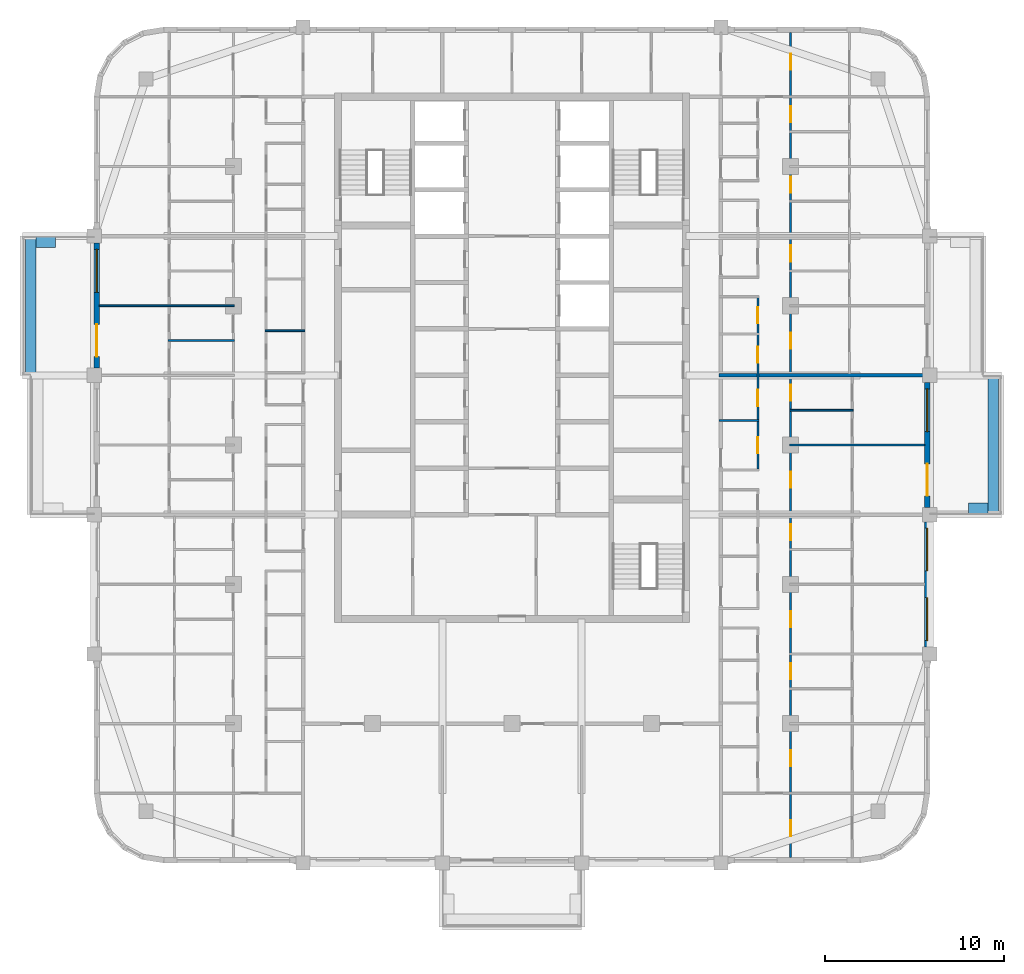
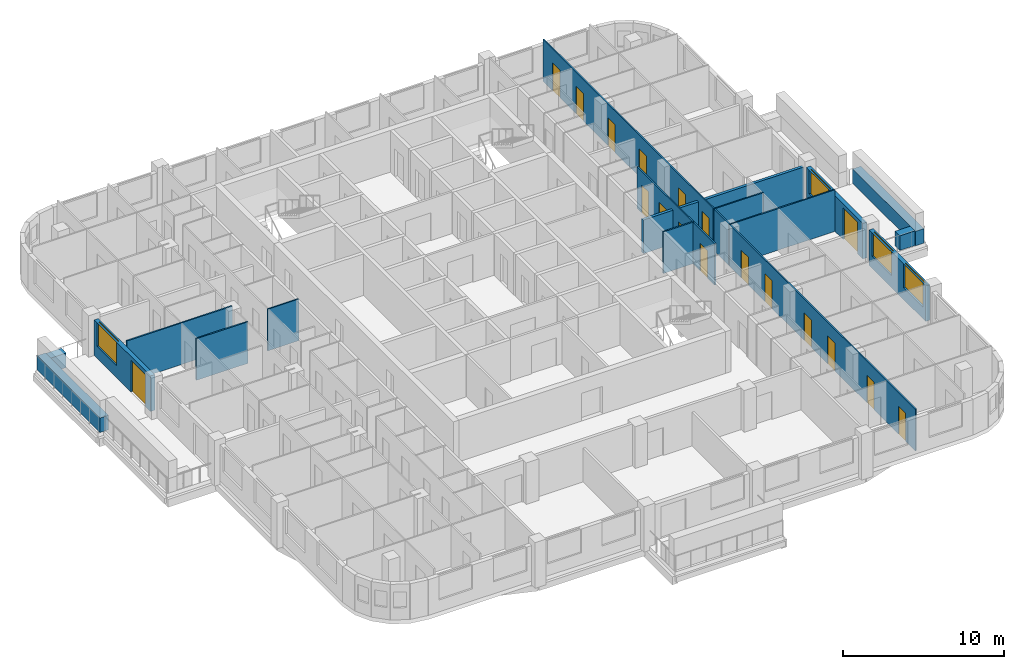
# One storey, part 7 of 15: 18 doors, 16 walls, 4 windows, 22 openings.
"""IFC4 building model written with IfcOpenShell, lengths in metres."""

from ifc_helpers import new_model, si_unit, direction, frame, frame_2d, origin, place, context, subcontext, project, spatial, rectangle, extrude, material, layer, layer_set, type_object, element, fill, save


model = new_model("IFC4")

# Units and contexts
model_context = context("Model", 3, precision=1e-05, world=origin(), true_north=direction((0.0, 1.0)))
body_context = subcontext(model_context, "Body", "Model", "MODEL_VIEW")
ifc_project = project(units=[si_unit("LENGTHUNIT", "METRE"), si_unit("AREAUNIT", "SQUARE_METRE"), si_unit("VOLUMEUNIT", "CUBIC_METRE"), si_unit("PLANEANGLEUNIT", "RADIAN"), si_unit("MASSUNIT", "GRAM", prefix="KILO")], contexts=[model_context])

# Site, building, storey
site_placement = place(None, origin())
site = spatial("IfcSite", under=ifc_project, at=site_placement, CompositionType="ELEMENT")
building_placement = place(site_placement, origin())
building = spatial("IfcBuilding", under=site, at=building_placement, Name="Ludao Terraces", CompositionType="ELEMENT")
storey_placement = place(building_placement, frame((0.0, 0.0, 197.300048828125)))
storey = spatial("IfcBuildingStorey", under=building, at=storey_placement, Name="L53", CompositionType="ELEMENT", Elevation=197.300048828125)

# Walls
ifc_material_1 = material(Name="Concrete C40", Category="concrete")
ifc_layer_1 = layer(ifc_material_1, 0.60009765625)
ifc_layer_set_1 = layer_set([ifc_layer_1], Name="ENV Planter trough 600")
wall_type_1 = type_object("IfcWallType", Name="ENV Planter trough 600", PredefinedType="USERDEFINED", material=ifc_layer_set_1)
wall_1_placement = place(storey_placement, frame((111.949951171875, 61.10009765625, 0.0), z_axis=(0.0, 0.0, 1.0), x_axis=(0.0, 1.0, 0.0)))
element("IfcWall", 1, at=wall_1_placement, inside=storey, type_object=wall_type_1, Name="PL-L53-E1", ObjectType="PLANTER", PredefinedType="USERDEFINED", context=body_context, shape_type="SweptSolid", body=[
    extrude(rectangle(XDim=7.7998046875, YDim=0.60009765625, at=frame_2d((3.89990234375, 0.0))), origin(), (0.0, 0.0, 1.0), 1.099853515625),
])
wall_2_placement = place(storey_placement, frame((111.64990234375, 61.449951171875, 0.0), z_axis=(0.0, 0.0, 1.0), x_axis=(-1.0, 0.0, 0.0)))
element("IfcWall", 2, at=wall_2_placement, inside=storey, type_object=wall_type_1, Name="PL-L53-E1-SA", ObjectType="PLANTER", PredefinedType="USERDEFINED", context=body_context, shape_type="SweptSolid", body=[
    extrude(rectangle(XDim=1.099853515625, YDim=0.60009765625, at=frame_2d((0.5498046875, 0.0))), origin(), (0.0, 0.0, 1.0), 1.099853515625),
])
wall_3_placement = place(storey_placement, frame((58.050048828125, 68.89990234375, 0.0), z_axis=(0.0, 0.0, 1.0), x_axis=(0.0, 1.0, 0.0)))
element("IfcWall", 3, at=wall_3_placement, inside=storey, type_object=wall_type_1, Name="PL-L53-W2", ObjectType="PLANTER", PredefinedType="USERDEFINED", context=body_context, shape_type="SweptSolid", body=[
    extrude(rectangle(XDim=7.800048828125, YDim=0.60009765625, at=frame_2d((3.89990234375, 0.0))), origin(), (0.0, 0.0, 1.0), 1.099853515625),
])
wall_4_placement = place(storey_placement, frame((58.35009765625, 76.35009765625, 0.0), z_axis=(0.0, 0.0, 1.0), x_axis=(1.0, 0.0, 0.0)))
element("IfcWall", 4, at=wall_4_placement, inside=storey, type_object=wall_type_1, Name="PL-L53-W2-SB", ObjectType="PLANTER", PredefinedType="USERDEFINED", context=body_context, shape_type="SweptSolid", body=[
    extrude(rectangle(XDim=1.099853515625, YDim=0.60009765625, at=frame_2d((0.5498046875, 0.0))), origin(), (0.0, 0.0, 1.0), 1.099853515625),
])

# Wall, openings, windows
ifc_material_2 = material(Name="Granite cladding", Category="masonry")
ifc_layer_2 = layer(ifc_material_2, 0.0400390625, Category="stone")
ifc_material_3 = material(Name="Mineral wool")
ifc_layer_3 = layer(ifc_material_3, 0.06005859375)
ifc_layer_4 = layer(ifc_material_1, 0.199951171875, Category="concrete")
ifc_layer_set_2 = layer_set([ifc_layer_2, ifc_layer_3, ifc_layer_4], Name="ENV Stone-clad wall 300")
wall_type_2 = type_object("IfcWallType", Name="ENV Stone-clad wall 300", PredefinedType="SOLIDWALL", material=ifc_layer_set_2)
wall_5_placement = place(storey_placement, frame((108.25, 53.699951171875, 0.0), z_axis=(0.0, 0.0, 1.0), x_axis=(0.0, 1.0, 0.0)))
wall_5 = element("IfcWall", 5, at=wall_5_placement, inside=storey, type_object=wall_type_2, Name="EW-L53-E2", PredefinedType="SOLIDWALL", context=body_context, shape_type="SweptSolid", body=[
    extrude(rectangle(XDim=7.0, YDim=0.300048828125, at=frame_2d((3.5, 0.0))), origin(), (0.0, 0.0, 1.0), 2.699951171875),
])
opening_1_placement = place(wall_5_placement, frame((0.35009765625, 0.0, 0.89990234375)))
opening_1 = element("IfcOpeningElement", 6, at=opening_1_placement, cuts=wall_5, Name="Opening W1", PredefinedType="OPENING", context=body_context, shape_type="SweptSolid", body=[
    extrude(rectangle(XDim=2.39990234375, YDim=1.800048828125, at=frame_2d((1.199951171875, 0.89990234375))), frame((0.0, 0.16015625, 0.0), z_axis=(0.0, -1.0, 0.0), x_axis=(1.0, 0.0, 0.0)), (0.0, 0.0, 1.0), 0.320068359375),
])
opening_2_placement = place(wall_5_placement, frame((4.25, 0.0, 0.89990234375)))
opening_2 = element("IfcOpeningElement", 7, at=opening_2_placement, cuts=wall_5, Name="Opening W1", PredefinedType="OPENING", context=body_context, shape_type="SweptSolid", body=[
    extrude(rectangle(XDim=2.39990234375, YDim=1.800048828125, at=frame_2d((1.199951171875, 0.89990234375))), frame((0.0, 0.16015625, 0.0), z_axis=(0.0, -1.0, 0.0), x_axis=(1.0, 0.0, 0.0)), (0.0, 0.0, 1.0), 0.320068359375),
])
ifc_material_4 = material(Name="Clear glass in aluminium frame", Category="aluminium")
ifc_layer_5 = layer(ifc_material_4, 0.06005859375)
ifc_layer_set_3 = layer_set([ifc_layer_5], Name="ENV Window W1 2400x1800")
window_type = type_object("IfcWindowType", Name="ENV Window W1 2400x1800", PartitioningType="DOUBLE_PANEL_VERTICAL", PredefinedType="WINDOW", material=ifc_layer_set_3)
window_1_placement = place(opening_1_placement, origin())
window_1 = element("IfcWindow", 8, at=window_1_placement, inside=storey, type_object=window_type, Name="W-L53-E2-1", OverallHeight=1.800048828125, OverallWidth=2.39990234375, PartitioningType="DOUBLE_PANEL_VERTICAL", PredefinedType="WINDOW", context=body_context, shape_type="SweptSolid", body=[
    extrude(rectangle(XDim=2.39990234375, YDim=1.800048828125, at=frame_2d((1.199951171875, 0.89990234375))), frame((0.0, 0.030029296875, 0.0), z_axis=(0.0, -1.0, 0.0), x_axis=(1.0, 0.0, 0.0)), (0.0, 0.0, 1.0), 0.06005859375),
])
fill(opening_1, window_1)
window_2_placement = place(opening_2_placement, origin())
window_2 = element("IfcWindow", 9, at=window_2_placement, inside=storey, type_object=window_type, Name="W-L53-E2-2", OverallHeight=1.800048828125, OverallWidth=2.39990234375, PartitioningType="DOUBLE_PANEL_VERTICAL", PredefinedType="WINDOW", context=body_context, shape_type="SweptSolid", body=[
    extrude(rectangle(XDim=2.39990234375, YDim=1.800048828125, at=frame_2d((1.199951171875, 0.89990234375))), frame((0.0, 0.030029296875, 0.0), z_axis=(0.0, -1.0, 0.0), x_axis=(1.0, 0.0, 0.0)), (0.0, 0.0, 1.0), 0.06005859375),
])
fill(opening_2, window_2)

# Wall, openings, door, window
wall_6_placement = place(storey_placement, frame((108.25, 61.5, 0.0), z_axis=(0.0, 0.0, 1.0), x_axis=(0.0, 1.0, 0.0)))
wall_6 = element("IfcWall", 10, at=wall_6_placement, inside=storey, type_object=wall_type_2, Name="EW-L53-E3", PredefinedType="SOLIDWALL", context=body_context, shape_type="SweptSolid", body=[
    extrude(rectangle(XDim=7.0, YDim=0.300048828125, at=frame_2d((3.5, 0.0))), origin(), (0.0, 0.0, 1.0), 2.699951171875),
])
opening_3_placement = place(wall_6_placement, frame((0.64990234375, 0.0, 0.0)))
opening_3 = element("IfcOpeningElement", 11, at=opening_3_placement, cuts=wall_6, Name="Opening BD", PredefinedType="OPENING", context=body_context, shape_type="SweptSolid", body=[
    extrude(rectangle(XDim=1.800048828125, YDim=2.39990234375, at=frame_2d((0.89990234375, 1.199951171875))), frame((0.0, 0.16015625, 0.0), z_axis=(0.0, -1.0, 0.0), x_axis=(1.0, 0.0, 0.0)), (0.0, 0.0, 1.0), 0.320068359375),
])
opening_4_placement = place(wall_6_placement, frame((4.25, 0.0, 0.89990234375)))
opening_4 = element("IfcOpeningElement", 12, at=opening_4_placement, cuts=wall_6, Name="Opening W1", PredefinedType="OPENING", context=body_context, shape_type="SweptSolid", body=[
    extrude(rectangle(XDim=2.39990234375, YDim=1.800048828125, at=frame_2d((1.199951171875, 0.89990234375))), frame((0.0, 0.16015625, 0.0), z_axis=(0.0, -1.0, 0.0), x_axis=(1.0, 0.0, 0.0)), (0.0, 0.0, 1.0), 0.320068359375),
])
ifc_material_5 = material(Name="Aluminium glazed door", Category="aluminium")
ifc_layer_6 = layer(ifc_material_5, 0.06005859375)
ifc_layer_set_4 = layer_set([ifc_layer_6], Name="ENV Balcony door BD 1800x2400")
door_type_1 = type_object("IfcDoorType", Name="ENV Balcony door BD 1800x2400", OperationType="DOUBLE_DOOR_SINGLE_SWING", PredefinedType="DOOR", material=ifc_layer_set_4)
door_1_placement = place(opening_3_placement, origin())
door_1 = element("IfcDoor", 13, at=door_1_placement, inside=storey, type_object=door_type_1, Name="BD-L53-E3-1", OperationType="DOUBLE_DOOR_SINGLE_SWING", OverallHeight=2.39990234375, OverallWidth=1.800048828125, PredefinedType="DOOR", context=body_context, shape_type="SweptSolid", body=[
    extrude(rectangle(XDim=1.800048828125, YDim=2.39990234375, at=frame_2d((0.89990234375, 1.199951171875))), frame((0.0, 0.02490234375, 0.0), z_axis=(0.0, -1.0, 0.0), x_axis=(1.0, 0.0, 0.0)), (0.0, 0.0, 1.0), 0.050048828125),
])
fill(opening_3, door_1)
window_3_placement = place(opening_4_placement, origin())
window_3 = element("IfcWindow", 14, at=window_3_placement, inside=storey, type_object=window_type, Name="W-L53-E3-2", OverallHeight=1.800048828125, OverallWidth=2.39990234375, PartitioningType="DOUBLE_PANEL_VERTICAL", PredefinedType="WINDOW", context=body_context, shape_type="SweptSolid", body=[
    extrude(rectangle(XDim=2.39990234375, YDim=1.800048828125, at=frame_2d((1.199951171875, 0.89990234375))), frame((0.0, 0.030029296875, 0.0), z_axis=(0.0, -1.0, 0.0), x_axis=(1.0, 0.0, 0.0)), (0.0, 0.0, 1.0), 0.06005859375),
])
fill(opening_4, window_3)

wall_7_placement = place(storey_placement, frame((61.75, 69.300048828125, 0.0), z_axis=(0.0, 0.0, 1.0), x_axis=(0.0, 1.0, 0.0)))
wall_7 = element("IfcWall", 15, at=wall_7_placement, inside=storey, type_object=wall_type_2, Name="EW-L53-W4", PredefinedType="SOLIDWALL", context=body_context, shape_type="SweptSolid", body=[
    extrude(rectangle(XDim=7.0, YDim=0.300048828125, at=frame_2d((3.5, 0.0))), origin(), (0.0, 0.0, 1.0), 2.699951171875),
])
opening_5_placement = place(wall_7_placement, frame((0.64990234375, 0.0, 0.0)))
opening_5 = element("IfcOpeningElement", 16, at=opening_5_placement, cuts=wall_7, Name="Opening BD", PredefinedType="OPENING", context=body_context, shape_type="SweptSolid", body=[
    extrude(rectangle(XDim=1.800048828125, YDim=2.39990234375, at=frame_2d((0.89990234375, 1.199951171875))), frame((0.0, 0.16015625, 0.0), z_axis=(0.0, -1.0, 0.0), x_axis=(1.0, 0.0, 0.0)), (0.0, 0.0, 1.0), 0.320068359375),
])
opening_6_placement = place(wall_7_placement, frame((4.25, 0.0, 0.89990234375)))
opening_6 = element("IfcOpeningElement", 17, at=opening_6_placement, cuts=wall_7, Name="Opening W1", PredefinedType="OPENING", context=body_context, shape_type="SweptSolid", body=[
    extrude(rectangle(XDim=2.39990234375, YDim=1.800048828125, at=frame_2d((1.199951171875, 0.89990234375))), frame((0.0, 0.16015625, 0.0), z_axis=(0.0, -1.0, 0.0), x_axis=(1.0, 0.0, 0.0)), (0.0, 0.0, 1.0), 0.320068359375),
])
door_2_placement = place(opening_5_placement, origin())
door_2 = element("IfcDoor", 18, at=door_2_placement, inside=storey, type_object=door_type_1, Name="BD-L53-W4-1", OperationType="DOUBLE_DOOR_SINGLE_SWING", OverallHeight=2.39990234375, OverallWidth=1.800048828125, PredefinedType="DOOR", context=body_context, shape_type="SweptSolid", body=[
    extrude(rectangle(XDim=1.800048828125, YDim=2.39990234375, at=frame_2d((0.89990234375, 1.199951171875))), frame((0.0, 0.02490234375, 0.0), z_axis=(0.0, -1.0, 0.0), x_axis=(1.0, 0.0, 0.0)), (0.0, 0.0, 1.0), 0.050048828125),
])
fill(opening_5, door_2)
window_4_placement = place(opening_6_placement, origin())
window_4 = element("IfcWindow", 19, at=window_4_placement, inside=storey, type_object=window_type, Name="W-L53-W4-2", OverallHeight=1.800048828125, OverallWidth=2.39990234375, PartitioningType="DOUBLE_PANEL_VERTICAL", PredefinedType="WINDOW", context=body_context, shape_type="SweptSolid", body=[
    extrude(rectangle(XDim=2.39990234375, YDim=1.800048828125, at=frame_2d((1.199951171875, 0.89990234375))), frame((0.0, 0.030029296875, 0.0), z_axis=(0.0, -1.0, 0.0), x_axis=(1.0, 0.0, 0.0)), (0.0, 0.0, 1.0), 0.06005859375),
])
fill(opening_6, window_4)

# Walls
ifc_material_6 = material(Name="Gypsum plasterboard", Category="gypsum")
ifc_layer_7 = layer(ifc_material_6, 0.012451171875, Category="gypsum")
ifc_layer_8 = layer(ifc_material_3, 0.06005859375, Name="insulation")
ifc_material_7 = material(Name="Steel Q235", Category="steel")
ifc_layer_9 = layer(ifc_material_7, 0.014892578125, Name="stud")
ifc_layer_10 = layer(ifc_material_6, 0.012451171875, Category="gypsum")
ifc_layer_set_5 = layer_set([ifc_layer_7, ifc_layer_8, ifc_layer_9, ifc_layer_10], Name="INT Partition 100")
wall_type_3 = type_object("IfcWallType", Name="INT Partition 100", PredefinedType="PARTITIONING", material=ifc_layer_set_5)
wall_8_placement = place(storey_placement, frame((100.550048828125, 65.0, 0.0), z_axis=(0.0, 0.0, 1.0), x_axis=(1.0, 0.0, 0.0)))
element("IfcWall", 20, at=wall_8_placement, inside=storey, type_object=wall_type_3, Name="PW-L53-PW034", PredefinedType="PARTITIONING", context=body_context, shape_type="SweptSolid", body=[
    extrude(rectangle(XDim=7.550048828125, YDim=0.10009765625, at=frame_2d((3.77490234375, 0.0))), origin(), (0.0, 0.0, 1.0), 3.14990234375),
])
wall_9_placement = place(storey_placement, frame((96.60009765625, 66.3701171875, 0.0), z_axis=(0.0, 0.0, 1.0), x_axis=(1.0, 0.0, 0.0)))
element("IfcWall", 21, at=wall_9_placement, inside=storey, type_object=wall_type_3, Name="PW-L53-PW036", PredefinedType="PARTITIONING", context=body_context, shape_type="SweptSolid", body=[
    extrude(rectangle(XDim=2.219970703125, YDim=0.10009765625, at=frame_2d((1.10986328125, 0.0))), origin(), (0.0, 0.0, 1.0), 3.14990234375),
])
wall_10_placement = place(storey_placement, frame((100.550048828125, 66.949951171875, 0.0), z_axis=(0.0, 0.0, 1.0), x_axis=(1.0, 0.0, 0.0)))
element("IfcWall", 22, at=wall_10_placement, inside=storey, type_object=wall_type_3, Name="PW-L53-PW037", PredefinedType="PARTITIONING", context=body_context, shape_type="SweptSolid", body=[
    extrude(rectangle(XDim=3.550048828125, YDim=0.10009765625, at=frame_2d((1.77490234375, 0.0))), origin(), (0.0, 0.0, 1.0), 3.14990234375),
])
wall_11_placement = place(storey_placement, frame((65.75, 70.85009765625, 0.0), z_axis=(0.0, 0.0, 1.0), x_axis=(1.0, 0.0, 0.0)))
element("IfcWall", 23, at=wall_11_placement, inside=storey, type_object=wall_type_3, Name="PW-L53-PW044", PredefinedType="PARTITIONING", context=body_context, shape_type="SweptSolid", body=[
    extrude(rectangle(XDim=3.7001953125, YDim=0.10009765625, at=frame_2d((1.85009765625, 0.0))), origin(), (0.0, 0.0, 1.0), 3.14990234375),
])
wall_12_placement = place(storey_placement, frame((71.18017578125, 71.39990234375, 0.0), z_axis=(0.0, 0.0, 1.0), x_axis=(1.0, 0.0, 0.0)))
element("IfcWall", 24, at=wall_12_placement, inside=storey, type_object=wall_type_3, Name="PW-L53-PW046", PredefinedType="PARTITIONING", context=body_context, shape_type="SweptSolid", body=[
    extrude(rectangle(XDim=2.219970703125, YDim=0.10009765625, at=frame_2d((1.10986328125, 0.0))), origin(), (0.0, 0.0, 1.0), 3.14990234375),
])
wall_13_placement = place(storey_placement, frame((61.900146484375, 72.800048828125, 0.0), z_axis=(0.0, 0.0, 1.0), x_axis=(1.0, 0.0, 0.0)))
element("IfcWall", 25, at=wall_13_placement, inside=storey, type_object=wall_type_3, Name="PW-L53-PW048", PredefinedType="PARTITIONING", context=body_context, shape_type="SweptSolid", body=[
    extrude(rectangle(XDim=7.550048828125, YDim=0.10009765625, at=frame_2d((3.77490234375, 0.0))), origin(), (0.0, 0.0, 1.0), 3.14990234375),
])

# Wall, openings, doors
wall_14_placement = place(storey_placement, frame((98.77001953125, 63.650146484375, 0.0), z_axis=(0.0, 0.0, 1.0), x_axis=(0.0, 1.0, 0.0)))
wall_14 = element("IfcWall", 26, at=wall_14_placement, inside=storey, type_object=wall_type_3, Name="PW-L53-PW099", PredefinedType="PARTITIONING", context=body_context, shape_type="SweptSolid", body=[
    extrude(rectangle(XDim=9.599853515625, YDim=0.10009765625, at=frame_2d((4.7998046875, 0.0))), origin(), (0.0, 0.0, 1.0), 3.14990234375),
])
opening_7_placement = place(wall_14_placement, frame((0.885009765625, 0.0, 0.0)))
opening_7 = element("IfcOpeningElement", 27, at=opening_7_placement, cuts=wall_14, Name="Opening R19-062", PredefinedType="OPENING", context=body_context, shape_type="SweptSolid", body=[
    extrude(rectangle(XDim=0.89990234375, YDim=2.10009765625, at=frame_2d((0.449951171875, 1.050048828125))), frame((0.0, 0.06005859375, 0.0), z_axis=(0.0, -1.0, 0.0), x_axis=(1.0, 0.0, 0.0)), (0.0, 0.0, 1.0), 0.1201171875),
])
opening_8_placement = place(wall_14_placement, frame((3.534912109375, 0.0, 0.0)))
opening_8 = element("IfcOpeningElement", 28, at=opening_8_placement, cuts=wall_14, Name="Opening R19-072", PredefinedType="OPENING", context=body_context, shape_type="SweptSolid", body=[
    extrude(rectangle(XDim=0.89990234375, YDim=2.10009765625, at=frame_2d((0.449951171875, 1.050048828125))), frame((0.0, 0.06005859375, 0.0), z_axis=(0.0, -1.0, 0.0), x_axis=(1.0, 0.0, 0.0)), (0.0, 0.0, 1.0), 0.1201171875),
])
opening_9_placement = place(wall_14_placement, frame((5.9599609375, 0.0, 0.0)))
opening_9 = element("IfcOpeningElement", 29, at=opening_9_placement, cuts=wall_14, Name="Opening R19-080", PredefinedType="OPENING", context=body_context, shape_type="SweptSolid", body=[
    extrude(rectangle(XDim=0.89990234375, YDim=2.10009765625, at=frame_2d((0.449951171875, 1.050048828125))), frame((0.0, 0.06005859375, 0.0), z_axis=(0.0, -1.0, 0.0), x_axis=(1.0, 0.0, 0.0)), (0.0, 0.0, 1.0), 0.1201171875),
])
opening_10_placement = place(wall_14_placement, frame((8.159912109375, 0.0, 0.0)))
opening_10 = element("IfcOpeningElement", 30, at=opening_10_placement, cuts=wall_14, Name="Opening R19-090", PredefinedType="OPENING", context=body_context, shape_type="SweptSolid", body=[
    extrude(rectangle(XDim=0.89990234375, YDim=2.10009765625, at=frame_2d((0.449951171875, 1.050048828125))), frame((0.0, 0.06005859375, 0.0), z_axis=(0.0, -1.0, 0.0), x_axis=(1.0, 0.0, 0.0)), (0.0, 0.0, 1.0), 0.1201171875),
])
ifc_material_8 = material(Name="Timber door leaf", Category="wood")
door_type_2 = type_object("IfcDoorType", Name="INT Bathroom door 900", OperationType="SINGLE_SWING_LEFT", PredefinedType="DOOR", material=ifc_material_8)
door_3_placement = place(opening_8_placement, origin())
door_3 = element("IfcDoor", 31, at=door_3_placement, inside=storey, type_object=door_type_2, Name="DOOR 072", OperationType="SINGLE_SWING_RIGHT", OverallHeight=2.10009765625, OverallWidth=0.89990234375, PredefinedType="DOOR", context=body_context, shape_type="SweptSolid", body=[
    extrude(rectangle(XDim=0.89990234375, YDim=2.10009765625, at=frame_2d((0.449951171875, 1.050048828125))), frame((0.0, 0.02490234375, 0.0), z_axis=(0.0, -1.0, 0.0), x_axis=(1.0, 0.0, 0.0)), (0.0, 0.0, 1.0), 0.050048828125),
])
fill(opening_8, door_3)
door_4_placement = place(opening_10_placement, origin())
door_4 = element("IfcDoor", 32, at=door_4_placement, inside=storey, type_object=door_type_2, Name="DOOR 090", OperationType="SINGLE_SWING_RIGHT", OverallHeight=2.10009765625, OverallWidth=0.89990234375, PredefinedType="DOOR", context=body_context, shape_type="SweptSolid", body=[
    extrude(rectangle(XDim=0.89990234375, YDim=2.10009765625, at=frame_2d((0.449951171875, 1.050048828125))), frame((0.0, 0.02490234375, 0.0), z_axis=(0.0, -1.0, 0.0), x_axis=(1.0, 0.0, 0.0)), (0.0, 0.0, 1.0), 0.050048828125),
])
fill(opening_10, door_4)
door_type_3 = type_object("IfcDoorType", Name="INT Room door 900", OperationType="SINGLE_SWING_LEFT", PredefinedType="DOOR", material=ifc_material_8)
door_5_placement = place(opening_7_placement, origin())
door_5 = element("IfcDoor", 33, at=door_5_placement, inside=storey, type_object=door_type_3, Name="DOOR 062", OperationType="SINGLE_SWING_LEFT", OverallHeight=2.10009765625, OverallWidth=0.89990234375, PredefinedType="DOOR", context=body_context, shape_type="SweptSolid", body=[
    extrude(rectangle(XDim=0.89990234375, YDim=2.10009765625, at=frame_2d((0.449951171875, 1.050048828125))), frame((0.0, 0.02490234375, 0.0), z_axis=(0.0, -1.0, 0.0), x_axis=(1.0, 0.0, 0.0)), (0.0, 0.0, 1.0), 0.050048828125),
])
fill(opening_7, door_5)
door_6_placement = place(opening_9_placement, origin())
door_6 = element("IfcDoor", 34, at=door_6_placement, inside=storey, type_object=door_type_3, Name="DOOR 080", OperationType="SINGLE_SWING_LEFT", OverallHeight=2.10009765625, OverallWidth=0.89990234375, PredefinedType="DOOR", context=body_context, shape_type="SweptSolid", body=[
    extrude(rectangle(XDim=0.89990234375, YDim=2.10009765625, at=frame_2d((0.449951171875, 1.050048828125))), frame((0.0, 0.02490234375, 0.0), z_axis=(0.0, -1.0, 0.0), x_axis=(1.0, 0.0, 0.0)), (0.0, 0.0, 1.0), 0.050048828125),
])
fill(opening_9, door_6)

wall_15_placement = place(storey_placement, frame((100.60009765625, 41.900146484375, 0.0), z_axis=(0.0, 0.0, 1.0), x_axis=(0.0, 1.0, 0.0)))
wall_15 = element("IfcWall", 35, at=wall_15_placement, inside=storey, type_object=wall_type_3, Name="PW-L53-PW102", PredefinedType="PARTITIONING", context=body_context, shape_type="SweptSolid", body=[
    extrude(rectangle(XDim=46.199951171875, YDim=0.10009765625, at=frame_2d((23.10009765625, 0.0))), origin(), (0.0, 0.0, 1.0), 3.14990234375),
])
opening_11_placement = place(wall_15_placement, frame((1.199951171875, 0.0, 0.0)))
opening_11 = element("IfcOpeningElement", 36, at=opening_11_placement, cuts=wall_15, Name="Opening R19-003", PredefinedType="OPENING", context=body_context, shape_type="SweptSolid", body=[
    extrude(rectangle(XDim=0.89990234375, YDim=2.10009765625, at=frame_2d((0.449951171875, 1.050048828125))), frame((0.0, 0.06005859375, 0.0), z_axis=(0.0, -1.0, 0.0), x_axis=(1.0, 0.0, 0.0)), (0.0, 0.0, 1.0), 0.1201171875),
])
opening_12_placement = place(wall_15_placement, frame((5.10009765625, 0.0, 0.0)))
opening_12 = element("IfcOpeningElement", 37, at=opening_12_placement, cuts=wall_15, Name="Opening R19-011", PredefinedType="OPENING", context=body_context, shape_type="SweptSolid", body=[
    extrude(rectangle(XDim=0.89990234375, YDim=2.10009765625, at=frame_2d((0.449951171875, 1.050048828125))), frame((0.0, 0.06005859375, 0.0), z_axis=(0.0, -1.0, 0.0), x_axis=(1.0, 0.0, 0.0)), (0.0, 0.0, 1.0), 0.1201171875),
])
opening_13_placement = place(wall_15_placement, frame((9.97509765625, 0.0, 0.0)))
opening_13 = element("IfcOpeningElement", 38, at=opening_13_placement, cuts=wall_15, Name="Opening R19-023", PredefinedType="OPENING", context=body_context, shape_type="SweptSolid", body=[
    extrude(rectangle(XDim=0.89990234375, YDim=2.10009765625, at=frame_2d((0.449951171875, 1.050048828125))), frame((0.0, 0.06005859375, 0.0), z_axis=(0.0, -1.0, 0.0), x_axis=(1.0, 0.0, 0.0)), (0.0, 0.0, 1.0), 0.1201171875),
])
opening_14_placement = place(wall_15_placement, frame((12.89990234375, 0.0, 0.0)))
opening_14 = element("IfcOpeningElement", 39, at=opening_14_placement, cuts=wall_15, Name="Opening R19-029", PredefinedType="OPENING", context=body_context, shape_type="SweptSolid", body=[
    extrude(rectangle(XDim=0.89990234375, YDim=2.10009765625, at=frame_2d((0.449951171875, 1.050048828125))), frame((0.0, 0.06005859375, 0.0), z_axis=(0.0, -1.0, 0.0), x_axis=(1.0, 0.0, 0.0)), (0.0, 0.0, 1.0), 0.1201171875),
])
opening_15_placement = place(wall_15_placement, frame((17.77490234375, 0.0, 0.0)))
opening_15 = element("IfcOpeningElement", 40, at=opening_15_placement, cuts=wall_15, Name="Opening R19-046", PredefinedType="OPENING", context=body_context, shape_type="SweptSolid", body=[
    extrude(rectangle(XDim=0.89990234375, YDim=2.10009765625, at=frame_2d((0.449951171875, 1.050048828125))), frame((0.0, 0.06005859375, 0.0), z_axis=(0.0, -1.0, 0.0), x_axis=(1.0, 0.0, 0.0)), (0.0, 0.0, 1.0), 0.1201171875),
])
opening_16_placement = place(wall_15_placement, frame((20.699951171875, 0.0, 0.0)))
opening_16 = element("IfcOpeningElement", 41, at=opening_16_placement, cuts=wall_15, Name="Opening R19-055", PredefinedType="OPENING", context=body_context, shape_type="SweptSolid", body=[
    extrude(rectangle(XDim=0.89990234375, YDim=2.10009765625, at=frame_2d((0.449951171875, 1.050048828125))), frame((0.0, 0.06005859375, 0.0), z_axis=(0.0, -1.0, 0.0), x_axis=(1.0, 0.0, 0.0)), (0.0, 0.0, 1.0), 0.1201171875),
])
opening_17_placement = place(wall_15_placement, frame((25.574951171875, 0.0, 0.0)))
opening_17 = element("IfcOpeningElement", 42, at=opening_17_placement, cuts=wall_15, Name="Opening R19-074", PredefinedType="OPENING", context=body_context, shape_type="SweptSolid", body=[
    extrude(rectangle(XDim=0.89990234375, YDim=2.10009765625, at=frame_2d((0.449951171875, 1.050048828125))), frame((0.0, 0.06005859375, 0.0), z_axis=(0.0, -1.0, 0.0), x_axis=(1.0, 0.0, 0.0)), (0.0, 0.0, 1.0), 0.1201171875),
])
opening_18_placement = place(wall_15_placement, frame((28.5, 0.0, 0.0)))
opening_18 = element("IfcOpeningElement", 43, at=opening_18_placement, cuts=wall_15, Name="Opening R19-084", PredefinedType="OPENING", context=body_context, shape_type="SweptSolid", body=[
    extrude(rectangle(XDim=0.89990234375, YDim=2.10009765625, at=frame_2d((0.449951171875, 1.050048828125))), frame((0.0, 0.06005859375, 0.0), z_axis=(0.0, -1.0, 0.0), x_axis=(1.0, 0.0, 0.0)), (0.0, 0.0, 1.0), 0.1201171875),
])
opening_19_placement = place(wall_15_placement, frame((33.375, 0.0, 0.0)))
opening_19 = element("IfcOpeningElement", 44, at=opening_19_placement, cuts=wall_15, Name="Opening R19-105", PredefinedType="OPENING", context=body_context, shape_type="SweptSolid", body=[
    extrude(rectangle(XDim=0.89990234375, YDim=2.10009765625, at=frame_2d((0.449951171875, 1.050048828125))), frame((0.0, 0.06005859375, 0.0), z_axis=(0.0, -1.0, 0.0), x_axis=(1.0, 0.0, 0.0)), (0.0, 0.0, 1.0), 0.1201171875),
])
opening_20_placement = place(wall_15_placement, frame((37.22509765625, 0.0, 0.0)))
opening_20 = element("IfcOpeningElement", 45, at=opening_20_placement, cuts=wall_15, Name="Opening R19-118", PredefinedType="OPENING", context=body_context, shape_type="SweptSolid", body=[
    extrude(rectangle(XDim=0.89990234375, YDim=2.10009765625, at=frame_2d((0.449951171875, 1.050048828125))), frame((0.0, 0.06005859375, 0.0), z_axis=(0.0, -1.0, 0.0), x_axis=(1.0, 0.0, 0.0)), (0.0, 0.0, 1.0), 0.1201171875),
])
opening_21_placement = place(wall_15_placement, frame((41.175048828125, 0.0, 0.0)))
opening_21 = element("IfcOpeningElement", 46, at=opening_21_placement, cuts=wall_15, Name="Opening R19-132", PredefinedType="OPENING", context=body_context, shape_type="SweptSolid", body=[
    extrude(rectangle(XDim=0.89990234375, YDim=2.10009765625, at=frame_2d((0.449951171875, 1.050048828125))), frame((0.0, 0.06005859375, 0.0), z_axis=(0.0, -1.0, 0.0), x_axis=(1.0, 0.0, 0.0)), (0.0, 0.0, 1.0), 0.1201171875),
])
opening_22_placement = place(wall_15_placement, frame((44.10009765625, 0.0, 0.0)))
opening_22 = element("IfcOpeningElement", 47, at=opening_22_placement, cuts=wall_15, Name="Opening R19-147", PredefinedType="OPENING", context=body_context, shape_type="SweptSolid", body=[
    extrude(rectangle(XDim=0.89990234375, YDim=2.10009765625, at=frame_2d((0.449951171875, 1.050048828125))), frame((0.0, 0.06005859375, 0.0), z_axis=(0.0, -1.0, 0.0), x_axis=(1.0, 0.0, 0.0)), (0.0, 0.0, 1.0), 0.1201171875),
])
door_7_placement = place(opening_11_placement, origin())
door_7 = element("IfcDoor", 48, at=door_7_placement, inside=storey, type_object=door_type_3, Name="DOOR 003", OperationType="SINGLE_SWING_RIGHT", OverallHeight=2.10009765625, OverallWidth=0.89990234375, PredefinedType="DOOR", context=body_context, shape_type="SweptSolid", body=[
    extrude(rectangle(XDim=0.89990234375, YDim=2.10009765625, at=frame_2d((0.449951171875, 1.050048828125))), frame((0.0, 0.02490234375, 0.0), z_axis=(0.0, -1.0, 0.0), x_axis=(1.0, 0.0, 0.0)), (0.0, 0.0, 1.0), 0.050048828125),
])
fill(opening_11, door_7)
door_8_placement = place(opening_12_placement, origin())
door_8 = element("IfcDoor", 49, at=door_8_placement, inside=storey, type_object=door_type_3, Name="DOOR 011", OperationType="SINGLE_SWING_LEFT", OverallHeight=2.10009765625, OverallWidth=0.89990234375, PredefinedType="DOOR", context=body_context, shape_type="SweptSolid", body=[
    extrude(rectangle(XDim=0.89990234375, YDim=2.10009765625, at=frame_2d((0.449951171875, 1.050048828125))), frame((0.0, 0.02490234375, 0.0), z_axis=(0.0, -1.0, 0.0), x_axis=(1.0, 0.0, 0.0)), (0.0, 0.0, 1.0), 0.050048828125),
])
fill(opening_12, door_8)
door_9_placement = place(opening_13_placement, origin())
door_9 = element("IfcDoor", 50, at=door_9_placement, inside=storey, type_object=door_type_3, Name="DOOR 023", OperationType="SINGLE_SWING_LEFT", OverallHeight=2.10009765625, OverallWidth=0.89990234375, PredefinedType="DOOR", context=body_context, shape_type="SweptSolid", body=[
    extrude(rectangle(XDim=0.89990234375, YDim=2.10009765625, at=frame_2d((0.449951171875, 1.050048828125))), frame((0.0, 0.02490234375, 0.0), z_axis=(0.0, -1.0, 0.0), x_axis=(1.0, 0.0, 0.0)), (0.0, 0.0, 1.0), 0.050048828125),
])
fill(opening_13, door_9)
door_10_placement = place(opening_14_placement, origin())
door_10 = element("IfcDoor", 51, at=door_10_placement, inside=storey, type_object=door_type_3, Name="DOOR 029", OperationType="SINGLE_SWING_LEFT", OverallHeight=2.10009765625, OverallWidth=0.89990234375, PredefinedType="DOOR", context=body_context, shape_type="SweptSolid", body=[
    extrude(rectangle(XDim=0.89990234375, YDim=2.10009765625, at=frame_2d((0.449951171875, 1.050048828125))), frame((0.0, 0.02490234375, 0.0), z_axis=(0.0, -1.0, 0.0), x_axis=(1.0, 0.0, 0.0)), (0.0, 0.0, 1.0), 0.050048828125),
])
fill(opening_14, door_10)
door_11_placement = place(opening_15_placement, origin())
door_11 = element("IfcDoor", 52, at=door_11_placement, inside=storey, type_object=door_type_3, Name="DOOR 046", OperationType="SINGLE_SWING_RIGHT", OverallHeight=2.10009765625, OverallWidth=0.89990234375, PredefinedType="DOOR", context=body_context, shape_type="SweptSolid", body=[
    extrude(rectangle(XDim=0.89990234375, YDim=2.10009765625, at=frame_2d((0.449951171875, 1.050048828125))), frame((0.0, 0.02490234375, 0.0), z_axis=(0.0, -1.0, 0.0), x_axis=(1.0, 0.0, 0.0)), (0.0, 0.0, 1.0), 0.050048828125),
])
fill(opening_15, door_11)
door_12_placement = place(opening_16_placement, origin())
door_12 = element("IfcDoor", 53, at=door_12_placement, inside=storey, type_object=door_type_3, Name="DOOR 055", OperationType="SINGLE_SWING_RIGHT", OverallHeight=2.10009765625, OverallWidth=0.89990234375, PredefinedType="DOOR", context=body_context, shape_type="SweptSolid", body=[
    extrude(rectangle(XDim=0.89990234375, YDim=2.10009765625, at=frame_2d((0.449951171875, 1.050048828125))), frame((0.0, 0.02490234375, 0.0), z_axis=(0.0, -1.0, 0.0), x_axis=(1.0, 0.0, 0.0)), (0.0, 0.0, 1.0), 0.050048828125),
])
fill(opening_16, door_12)
door_13_placement = place(opening_17_placement, origin())
door_13 = element("IfcDoor", 54, at=door_13_placement, inside=storey, type_object=door_type_3, Name="DOOR 074", OperationType="SINGLE_SWING_LEFT", OverallHeight=2.10009765625, OverallWidth=0.89990234375, PredefinedType="DOOR", context=body_context, shape_type="SweptSolid", body=[
    extrude(rectangle(XDim=0.89990234375, YDim=2.10009765625, at=frame_2d((0.449951171875, 1.050048828125))), frame((0.0, 0.02490234375, 0.0), z_axis=(0.0, -1.0, 0.0), x_axis=(1.0, 0.0, 0.0)), (0.0, 0.0, 1.0), 0.050048828125),
])
fill(opening_17, door_13)
door_14_placement = place(opening_18_placement, origin())
door_14 = element("IfcDoor", 55, at=door_14_placement, inside=storey, type_object=door_type_3, Name="DOOR 084", OperationType="SINGLE_SWING_RIGHT", OverallHeight=2.10009765625, OverallWidth=0.89990234375, PredefinedType="DOOR", context=body_context, shape_type="SweptSolid", body=[
    extrude(rectangle(XDim=0.89990234375, YDim=2.10009765625, at=frame_2d((0.449951171875, 1.050048828125))), frame((0.0, 0.02490234375, 0.0), z_axis=(0.0, -1.0, 0.0), x_axis=(1.0, 0.0, 0.0)), (0.0, 0.0, 1.0), 0.050048828125),
])
fill(opening_18, door_14)
door_15_placement = place(opening_19_placement, origin())
door_15 = element("IfcDoor", 56, at=door_15_placement, inside=storey, type_object=door_type_3, Name="DOOR 105", OperationType="SINGLE_SWING_LEFT", OverallHeight=2.10009765625, OverallWidth=0.89990234375, PredefinedType="DOOR", context=body_context, shape_type="SweptSolid", body=[
    extrude(rectangle(XDim=0.89990234375, YDim=2.10009765625, at=frame_2d((0.449951171875, 1.050048828125))), frame((0.0, 0.02490234375, 0.0), z_axis=(0.0, -1.0, 0.0), x_axis=(1.0, 0.0, 0.0)), (0.0, 0.0, 1.0), 0.050048828125),
])
fill(opening_19, door_15)
door_16_placement = place(opening_20_placement, origin())
door_16 = element("IfcDoor", 57, at=door_16_placement, inside=storey, type_object=door_type_3, Name="DOOR 118", OperationType="SINGLE_SWING_RIGHT", OverallHeight=2.10009765625, OverallWidth=0.89990234375, PredefinedType="DOOR", context=body_context, shape_type="SweptSolid", body=[
    extrude(rectangle(XDim=0.89990234375, YDim=2.10009765625, at=frame_2d((0.449951171875, 1.050048828125))), frame((0.0, 0.02490234375, 0.0), z_axis=(0.0, -1.0, 0.0), x_axis=(1.0, 0.0, 0.0)), (0.0, 0.0, 1.0), 0.050048828125),
])
fill(opening_20, door_16)
door_17_placement = place(opening_21_placement, origin())
door_17 = element("IfcDoor", 58, at=door_17_placement, inside=storey, type_object=door_type_3, Name="DOOR 132", OperationType="SINGLE_SWING_RIGHT", OverallHeight=2.10009765625, OverallWidth=0.89990234375, PredefinedType="DOOR", context=body_context, shape_type="SweptSolid", body=[
    extrude(rectangle(XDim=0.89990234375, YDim=2.10009765625, at=frame_2d((0.449951171875, 1.050048828125))), frame((0.0, 0.02490234375, 0.0), z_axis=(0.0, -1.0, 0.0), x_axis=(1.0, 0.0, 0.0)), (0.0, 0.0, 1.0), 0.050048828125),
])
fill(opening_21, door_17)
door_18_placement = place(opening_22_placement, origin())
door_18 = element("IfcDoor", 59, at=door_18_placement, inside=storey, type_object=door_type_3, Name="DOOR 147", OperationType="SINGLE_SWING_LEFT", OverallHeight=2.10009765625, OverallWidth=0.89990234375, PredefinedType="DOOR", context=body_context, shape_type="SweptSolid", body=[
    extrude(rectangle(XDim=0.89990234375, YDim=2.10009765625, at=frame_2d((0.449951171875, 1.050048828125))), frame((0.0, 0.02490234375, 0.0), z_axis=(0.0, -1.0, 0.0), x_axis=(1.0, 0.0, 0.0)), (0.0, 0.0, 1.0), 0.050048828125),
])
fill(opening_22, door_18)

# Wall
ifc_material_9 = material(Name="Autoclaved aerated concrete block B06 A3.5", Category="concrete")
ifc_layer_11 = layer(ifc_material_9, 0.199951171875)
ifc_layer_set_6 = layer_set([ifc_layer_11], Name="INT Party wall 200")
wall_type_4 = type_object("IfcWallType", Name="INT Party wall 200", PredefinedType="PARTITIONING", material=ifc_layer_set_6)
wall_16_placement = place(storey_placement, frame((96.60009765625, 68.89990234375, 0.0), z_axis=(0.0, 0.0, 1.0), x_axis=(1.0, 0.0, 0.0)))
element("IfcWall", 60, at=wall_16_placement, inside=storey, type_object=wall_type_4, Name="PW-L53-PW041", PredefinedType="PARTITIONING", context=body_context, shape_type="SweptSolid", body=[
    extrude(rectangle(XDim=11.5, YDim=0.199951171875, at=frame_2d((5.75, 0.0))), origin(), (0.0, 0.0, 1.0), 2.5498046875),
])

save(model, "model.ifc")
